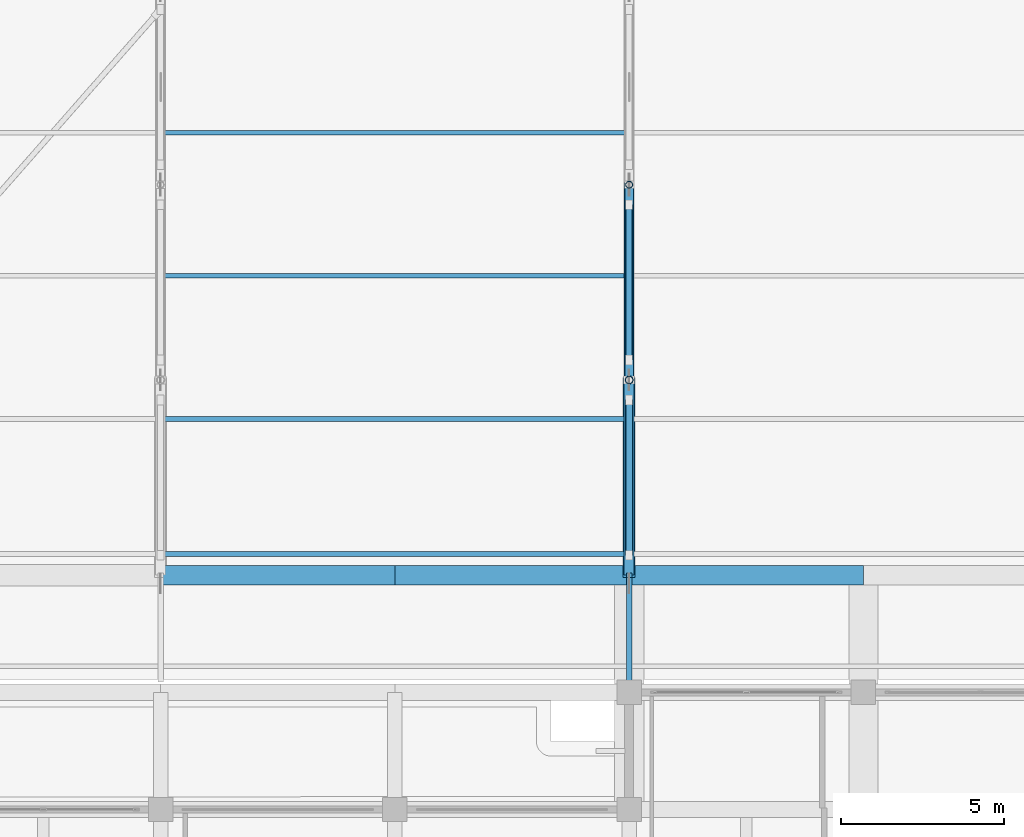
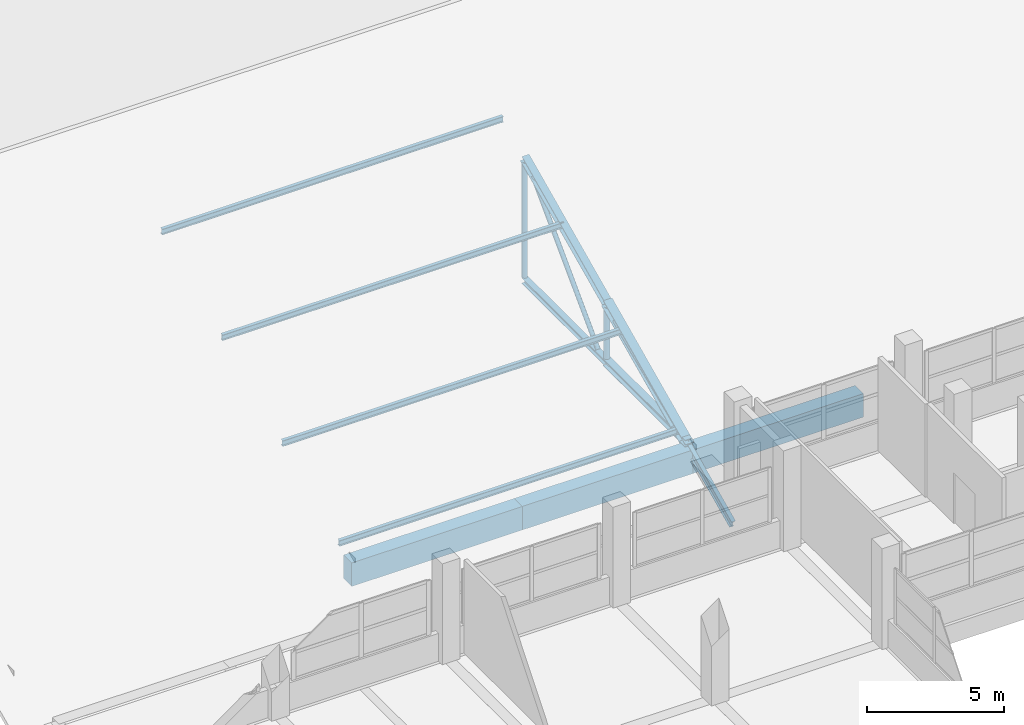
# One storey, part 77 of 141: 13 members, 3 beams, 1 element without a shape of its own.
"""IFC4 building model written with IfcOpenShell, lengths in metres."""

from ifc_helpers import new_model, si_unit, direction, frame, origin, origin_2d, place, context, subcontext, project, spatial, rectangle, hollow_circle, i_section, extrude, material, material_profile, profile_set, type_object, element, aggregate, save


model = new_model("IFC4")

# Units and contexts
model_context = context("Model", 3, precision=1e-05, world=origin(), true_north=direction((0.0, 1.0)))
body_context = subcontext(model_context, "Body", "Model", "MODEL_VIEW")
ifc_project = project(units=[si_unit("LENGTHUNIT", "METRE"), si_unit("AREAUNIT", "SQUARE_METRE"), si_unit("VOLUMEUNIT", "CUBIC_METRE"), si_unit("PLANEANGLEUNIT", "RADIAN"), si_unit("MASSUNIT", "GRAM", prefix="KILO")], contexts=[model_context])

# Site, building, storey
site_placement = place(None, origin())
site = spatial("IfcSite", under=ifc_project, at=site_placement, CompositionType="ELEMENT")
building_placement = place(site_placement, origin())
building = spatial("IfcBuilding", under=site, at=building_placement, Name="Seraya Terrace Polytechnic", CompositionType="ELEMENT")
storey_placement = place(building_placement, frame((0.0, 0.0, 14.39990234375)))
storey = spatial("IfcBuildingStorey", under=building, at=storey_placement, Name="L03", CompositionType="ELEMENT", Elevation=14.39990234375)

# Assembly, members
ifc_material_1 = material(Name="Steel S355J2", Category="steel")
element_assembly_type = type_object("IfcElementAssemblyType", Name="TR-A1", PredefinedType="TRUSS", material=ifc_material_1)
assembly_placement = place(storey_placement, origin())
assembly = element("IfcElementAssembly", 1, at=assembly_placement, inside=storey, type_object=element_assembly_type, Name="Pitched steel roof truss TR-03", AssemblyPlace="SITE", PredefinedType="TRUSS")
ifc_material_profile_1 = material_profile(ifc_material_1, i_section(OverallWidth=0.304931640625, OverallDepth=0.304931640625, WebThickness=0.014892578125, FlangeThickness=0.023681640625, at=origin_2d()), Name="UKC 305x305x14.9x23.8")
ifc_profile_set_1 = profile_set([ifc_material_profile_1], Name="Steel S355J2")
member_type_1 = type_object("IfcMemberType", Name="BC-01", PredefinedType="CHORD", material=ifc_profile_set_1)
member_1_placement = place(storey_placement, frame((43.199951171875, 79.199951171875, 0.150146484375), z_axis=(0.0, 1.0, 0.0), x_axis=(-1.0, 0.0, 0.0)))
member_1 = element("IfcMember", 2, at=member_1_placement, type_object=member_type_1, Name="TR-03 bottom chord 1", PredefinedType="CHORD", context=body_context, shape_type="SweptSolid", body=[
    extrude(i_section(OverallWidth=0.304931640625, OverallDepth=0.304931640625, WebThickness=0.014892578125, FlangeThickness=0.023681640625, at=origin_2d()), origin(), (0.0, 0.0, 1.0), 6.0),
])
ifc_material_profile_2 = material_profile(ifc_material_1, i_section(OverallWidth=0.25390625, OverallDepth=0.25390625, WebThickness=0.0107421875, FlangeThickness=0.017333984375, at=origin_2d()), Name="UKC 254x254x10.7x17.3")
ifc_profile_set_2 = profile_set([ifc_material_profile_2], Name="Steel S355J2")
member_type_2 = type_object("IfcMemberType", Name="BC-02", PredefinedType="CHORD", material=ifc_profile_set_2)
member_2_placement = place(storey_placement, frame((43.199951171875, 85.199951171875, 0.150146484375), z_axis=(0.0, 1.0, 0.0), x_axis=(-1.0, 0.0, 0.0)))
member_2 = element("IfcMember", 3, at=member_2_placement, type_object=member_type_2, Name="TR-03 bottom chord 2", PredefinedType="CHORD", context=body_context, shape_type="SweptSolid", body=[
    extrude(i_section(OverallWidth=0.25390625, OverallDepth=0.25390625, WebThickness=0.0107421875, FlangeThickness=0.017333984375, at=origin_2d()), origin(), (0.0, 0.0, 1.0), 6.0),
])

# Beams
ifc_material_2 = material(Name="Concrete C40/50", Category="concrete")
ifc_material_profile_3 = material_profile(ifc_material_2, rectangle(XDim=0.60009765625, YDim=1.050048828125, at=origin_2d()), Name="RC 600x1050")
ifc_profile_set_3 = profile_set([ifc_material_profile_3], Name="Concrete C40/50")
beam_type = type_object("IfcBeamType", Name="BM-01", PredefinedType="BEAM", material=ifc_profile_set_3)
for number, where, z_axis, x_axis, name in (
    (4, (28.800048828125, 79.199951171875, -0.52490234375), (1.0, 0.0, 0.0), (0.0, 1.0, 0.0), "Beam BM-01 L03 X (28.8..36.0, 79.2)"),
    (5, (36.0, 79.199951171875, -0.52490234375), (1.0, 0.0, 0.0), (0.0, 1.0, 0.0), "Beam BM-01 L03 X (36.0..43.2, 79.2)"),
    (6, (43.199951171875, 79.199951171875, -0.52490234375), (1.0, 0.0, 0.0), (0.0, 1.0, 0.0), "Beam BM-01 L03 X (43.2..50.4, 79.2)"),
):
    element("IfcBeam", number, at=place(storey_placement, frame(where, z_axis=z_axis, x_axis=x_axis)), inside=storey, type_object=beam_type, Name=name, PredefinedType="BEAM", context=body_context, shape_type="SweptSolid", body=[
        extrude(rectangle(XDim=0.60009765625, YDim=1.050048828125, at=origin_2d()), origin(), (0.0, 0.0, 1.0), 7.199951171875),
    ])

# Member
ifc_material_profile_4 = material_profile(ifc_material_1, hollow_circle(Radius=0.109619140625, WallThickness=0.010009765625, at=origin_2d()), Name="CHS 219.1x10.0")
ifc_profile_set_4 = profile_set([ifc_material_profile_4], Name="Steel S355J2")
member_type_3 = type_object("IfcMemberType", Name="BR-01", PredefinedType="BRACE", material=ifc_profile_set_4)
member_3_placement = place(storey_placement, frame((43.199951171875, 79.820068359375, 0.316650390625), z_axis=(0.0, 0.921775035169, 0.387725140453), x_axis=(-1.0, 0.0, 0.0)))
member_3 = element("IfcMember", 7, at=member_3_placement, type_object=member_type_3, Name="TR-03 web diagonal 1", PredefinedType="BRACE", context=body_context, shape_type="SweptSolid", body=[
    extrude(hollow_circle(Radius=0.109619140625, WallThickness=0.010009765625, at=origin_2d()), origin(), (0.0, 0.0, 1.0), 5.1640625),
])

ifc_material_profile_5 = material_profile(ifc_material_1, hollow_circle(Radius=0.096923828125, WallThickness=0.010009765625, at=origin_2d()), Name="CHS 193.7x10.0")
ifc_profile_set_5 = profile_set([ifc_material_profile_5], Name="Steel S355J2")
member_type_4 = type_object("IfcMemberType", Name="BR-02", PredefinedType="BRACE", material=ifc_profile_set_5)
member_4_placement = place(storey_placement, frame((43.199951171875, 85.820068359375, 0.291015625), z_axis=(0.0, 0.700213947338, 0.713933069659), x_axis=(-1.0, 0.0, 0.0)))
member_4 = element("IfcMember", 8, at=member_4_placement, type_object=member_type_4, Name="TR-03 web diagonal 2", PredefinedType="BRACE", context=body_context, shape_type="SweptSolid", body=[
    extrude(hollow_circle(Radius=0.096923828125, WallThickness=0.010009765625, at=origin_2d()), origin(), (0.0, 0.0, 1.0), 6.7978515625),
])

# Members
ifc_material_profile_6 = material_profile(ifc_material_1, i_section(OverallWidth=0.14599609375, OverallDepth=0.25390625, WebThickness=0.007080078125, FlangeThickness=0.01416015625, at=origin_2d()), Name="UKB 254x146x7.2x14.2")
ifc_profile_set_6 = profile_set([ifc_material_profile_6], Name="Steel S355J2")
member_type_5 = type_object("IfcMemberType", Name="PR-01", PredefinedType="PURLIN", material=ifc_profile_set_6)
for number, where, z_axis, x_axis, name in (
    (9, (28.800048828125, 79.85009765625, 0.33349609375), (1.0, 0.0, 0.0), (0.0, 1.0, 0.0), "Workshop roof purlin PR-01 bay 2.2"),
    (10, (28.800048828125, 84.0, 2.270263671875), (1.0, 0.0, 0.0), (0.0, 1.0, 0.0), "Workshop roof purlin PR-01 bay 2.3"),
    (11, (28.800048828125, 88.39990234375, 4.323486328125), (1.0, 0.0, 0.0), (0.0, 1.0, 0.0), "Workshop roof purlin PR-01 bay 2.4"),
    (12, (28.800048828125, 92.800048828125, 6.376953125), (1.0, 0.0, 0.0), (0.0, 1.0, 0.0), "Workshop roof purlin PR-01 bay 2.5"),
):
    element("IfcMember", number, at=place(storey_placement, frame(where, z_axis=z_axis, x_axis=x_axis)), inside=storey, type_object=member_type_5, Name=name, PredefinedType="PURLIN", context=body_context, shape_type="SweptSolid", body=[
        extrude(i_section(OverallWidth=0.14599609375, OverallDepth=0.25390625, WebThickness=0.007080078125, FlangeThickness=0.01416015625, at=origin_2d()), origin(), (0.0, 0.0, 1.0), 14.39990234375),
    ])

# Member
ifc_material_profile_7 = material_profile(ifc_material_1, i_section(OverallWidth=0.1708984375, OverallDepth=0.35595703125, WebThickness=0.009033203125, FlangeThickness=0.015625, at=origin_2d()), Name="UKB 356x171x9.1x15.7")
ifc_profile_set_7 = profile_set([ifc_material_profile_7], Name="Steel S355J2")
member_type_6 = type_object("IfcMemberType", Name="RF-01", PredefinedType="RAFTER", material=ifc_profile_set_7)
member_5_placement = place(storey_placement, frame((43.199951171875, 79.199951171875, -0.052001953125), z_axis=(0.0, -0.906199036176, -0.422851400416), x_axis=(1.0, 0.0, 0.0)))
member_5 = element("IfcMember", 13, at=member_5_placement, type_object=member_type_6, Name="TR-03 South monsoon eave rafter", PredefinedType="RAFTER", context=body_context, shape_type="SweptSolid", body=[
    extrude(i_section(OverallWidth=0.1708984375, OverallDepth=0.35595703125, WebThickness=0.009033203125, FlangeThickness=0.015625, at=origin_2d()), origin(), (0.0, 0.0, 1.0), 3.53125),
])

ifc_material_profile_8 = material_profile(ifc_material_1, hollow_circle(Radius=0.122314453125, WallThickness=0.012451171875, at=origin_2d()), Name="CHS 244.5x12.5")
ifc_profile_set_8 = profile_set([ifc_material_profile_8], Name="Steel S355J2")
member_type_7 = type_object("IfcMemberType", Name="ST-M2", PredefinedType="STRUT", material=ifc_profile_set_8)
member_6_placement = place(storey_placement, frame((43.199951171875, 85.199951171875, 0.306640625), z_axis=(0.0, 0.0, 1.0), x_axis=(1.0, 0.0, 0.0)))
member_6 = element("IfcMember", 14, at=member_6_placement, type_object=member_type_7, Name="TR-03 vertical strut 2", PredefinedType="STRUT", context=body_context, shape_type="SweptSolid", body=[
    extrude(hollow_circle(Radius=0.122314453125, WallThickness=0.012451171875, at=origin_2d()), origin(), (0.0, 0.0, 1.0), 2.3115234375),
])

ifc_material_profile_9 = material_profile(ifc_material_1, hollow_circle(Radius=0.109619140625, WallThickness=0.010009765625, at=origin_2d()), Name="CHS 219.1x10.0")
ifc_profile_set_9 = profile_set([ifc_material_profile_9], Name="Steel S355J2")
member_type_8 = type_object("IfcMemberType", Name="ST-M3", PredefinedType="STRUT", material=ifc_profile_set_9)
member_7_placement = place(storey_placement, frame((43.199951171875, 91.199951171875, 0.281005859375), z_axis=(0.0, 0.0, 1.0), x_axis=(1.0, 0.0, 0.0)))
member_7 = element("IfcMember", 15, at=member_7_placement, type_object=member_type_8, Name="TR-03 vertical strut 3", PredefinedType="STRUT", context=body_context, shape_type="SweptSolid", body=[
    extrude(hollow_circle(Radius=0.109619140625, WallThickness=0.010009765625, at=origin_2d()), origin(), (0.0, 0.0, 1.0), 5.16259765625),
])

ifc_material_profile_10 = material_profile(ifc_material_1, i_section(OverallWidth=0.367919921875, OverallDepth=0.35595703125, WebThickness=0.014892578125, FlangeThickness=0.0244140625, at=origin_2d()), Name="UKC 356x368x15.0x24.4")
ifc_profile_set_10 = profile_set([ifc_material_profile_10], Name="Steel S355J2")
member_type_9 = type_object("IfcMemberType", Name="TC-01", PredefinedType="CHORD", material=ifc_profile_set_10)
member_8_placement = place(storey_placement, frame((43.199951171875, 79.199951171875, 0.0), z_axis=(0.0, 0.906180313975, 0.422891521036), x_axis=(-1.0, 0.0, 0.0)))
member_8 = element("IfcMember", 16, at=member_8_placement, type_object=member_type_9, Name="TR-03 top chord 1", PredefinedType="CHORD", context=body_context, shape_type="SweptSolid", body=[
    extrude(i_section(OverallWidth=0.367919921875, OverallDepth=0.35595703125, WebThickness=0.014892578125, FlangeThickness=0.0244140625, at=origin_2d()), origin(), (0.0, 0.0, 1.0), 6.62109375),
])

ifc_material_profile_11 = material_profile(ifc_material_1, i_section(OverallWidth=0.304931640625, OverallDepth=0.304931640625, WebThickness=0.011962890625, FlangeThickness=0.019775390625, at=origin_2d()), Name="UKC 305x305x12.0x19.7")
ifc_profile_set_11 = profile_set([ifc_material_profile_11], Name="Steel S355J2")
member_type_10 = type_object("IfcMemberType", Name="TC-02", PredefinedType="CHORD", material=ifc_profile_set_11)
member_9_placement = place(storey_placement, frame((43.199951171875, 85.199951171875, 2.800048828125), z_axis=(0.0, 0.906180313975, 0.422891521036), x_axis=(-1.0, 0.0, 0.0)))
member_9 = element("IfcMember", 17, at=member_9_placement, type_object=member_type_10, Name="TR-03 top chord 2", PredefinedType="CHORD", context=body_context, shape_type="SweptSolid", body=[
    extrude(i_section(OverallWidth=0.304931640625, OverallDepth=0.304931640625, WebThickness=0.011962890625, FlangeThickness=0.019775390625, at=origin_2d()), origin(), (0.0, 0.0, 1.0), 6.62109375),
])

aggregate(assembly, [member_1, member_8, member_2, member_9, member_6, member_7, member_3, member_4, member_5])

save(model, "model.ifc")
